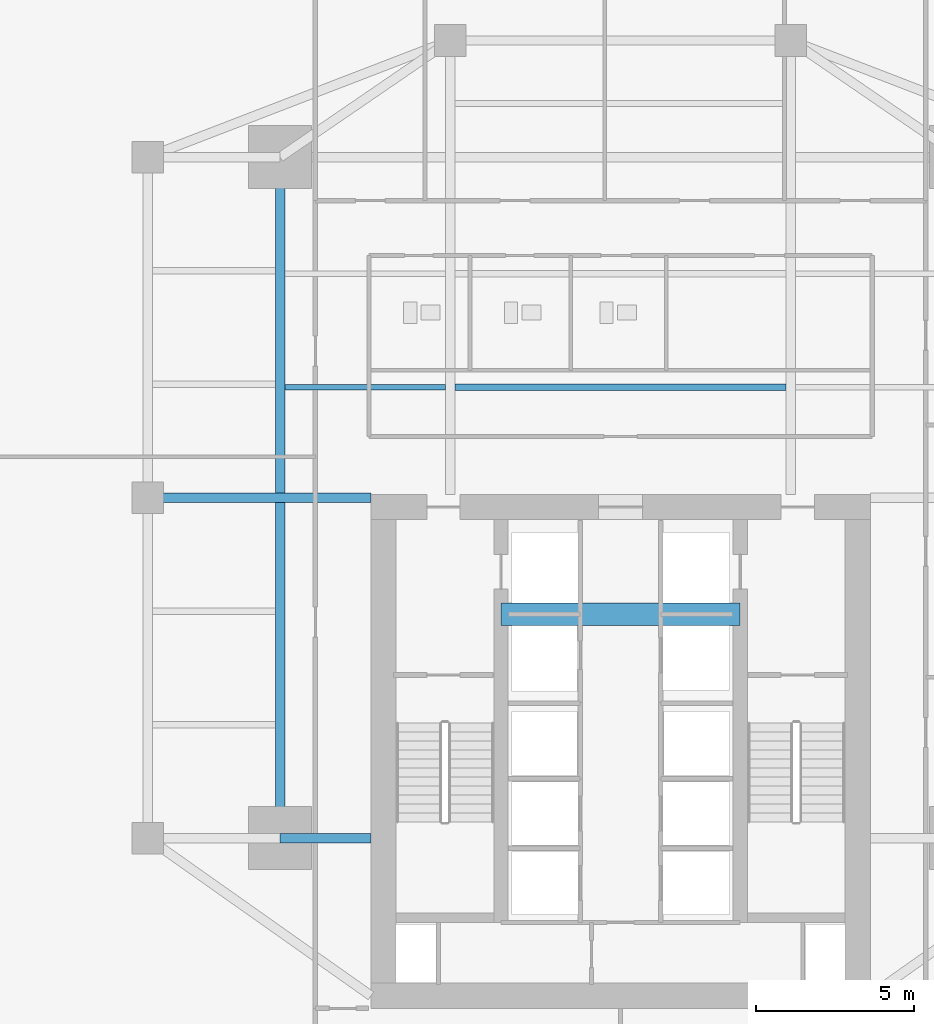
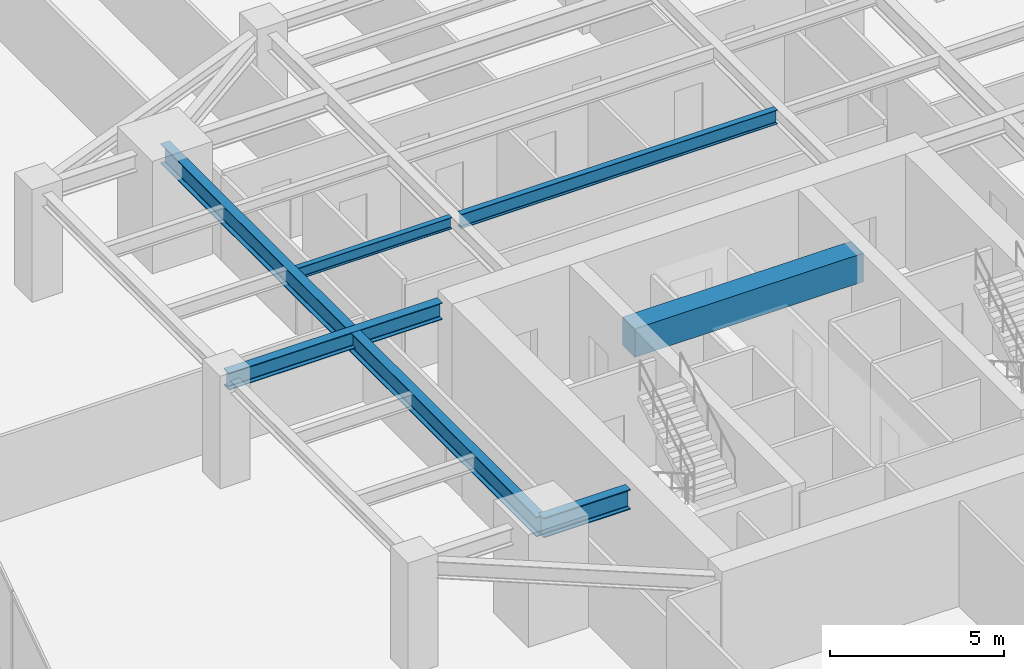
# One storey, part 9 of 27: 6 beams.
"""IFC4 building model written with IfcOpenShell, lengths in metres."""

from ifc_helpers import new_model, si_unit, direction, frame, origin, origin_2d, place, context, subcontext, project, spatial, rectangle, i_section, extrude, source, transform, mapped, material, material_profile, profile_set, type_object, type_shapes, element, save


model = new_model("IFC4")

# Units and contexts
model_context = context("Model", 3, precision=1e-05, world=origin(), true_north=direction((0.0, 1.0)))
body_context = subcontext(model_context, "Body", "Model", "MODEL_VIEW")
ifc_project = project(units=[si_unit("LENGTHUNIT", "METRE"), si_unit("AREAUNIT", "SQUARE_METRE"), si_unit("VOLUMEUNIT", "CUBIC_METRE"), si_unit("PLANEANGLEUNIT", "RADIAN"), si_unit("MASSUNIT", "GRAM", prefix="KILO")], contexts=[model_context])

# Site, building, storey
site_placement = place(None, origin())
site = spatial("IfcSite", under=ifc_project, at=site_placement, CompositionType="ELEMENT")
building_placement = place(site_placement, origin())
building = spatial("IfcBuilding", under=site, at=building_placement, Name="Krantzveldt Concourse Tower", CompositionType="ELEMENT")
storey_placement = place(building_placement, frame((0.0, 0.0, 101.89990234375)))
storey = spatial("IfcBuildingStorey", under=building, at=storey_placement, Name="L24", CompositionType="ELEMENT", Elevation=101.89990234375)

# Beams
ifc_material_1 = material(Name="Steel S355J2", Category="steel")
ifc_material_profile_1 = material_profile(ifc_material_1, i_section(OverallWidth=0.300048828125, OverallDepth=0.699951171875, WebThickness=0.01708984375, FlangeThickness=0.031982421875, FilletRadius=0.027099609375, at=origin_2d()), Name="Steel S355J2", Category="steel")
ifc_profile_set_1 = profile_set([ifc_material_profile_1], Name="Steel S355J2 - HEB 700")
beam_type_1 = type_object("IfcBeamType", Name="BM-B-HEB700", PredefinedType="BEAM", material=ifc_profile_set_1)
shared_shape_1 = source(origin(), body_context, "Body", "SweptSolid", [
    extrude(i_section(OverallWidth=0.300048828125, OverallDepth=0.699951171875, WebThickness=0.01708984375, FlangeThickness=0.031982421875, FilletRadius=0.027099609375, at=origin_2d()), origin(), (0.0, 0.0, 1.0), 2.880126953125),
])
beam_1_placement = place(storey_placement, frame((25.199951171875, 15.89990234375, 3.320068359375), z_axis=(1.0, 0.0, 0.0), x_axis=(0.0, 1.0, 0.0)))
element("IfcBeam", 1, at=beam_1_placement, inside=storey, type_object=beam_type_1, Name="L24 Tower Girder BG-CW1", PredefinedType="BEAM", context=body_context, shape_type="MappedRepresentation", body=[
    mapped(shared_shape_1, transform((0.0, 0.0, 0.0), x_axis=(1.0, 0.0, 0.0), y_axis=(0.0, 1.0, 0.0), z_axis=(0.0, 0.0, 1.0), scale=1.0)),
])
shared_shape_2 = source(origin(), body_context, "Body", "SweptSolid", [
    extrude(i_section(OverallWidth=0.300048828125, OverallDepth=0.699951171875, WebThickness=0.01708984375, FlangeThickness=0.031982421875, FilletRadius=0.027099609375, at=origin_2d()), origin(), (0.0, 0.0, 1.0), 21.60009765625),
])
type_shapes(beam_type_1, [shared_shape_1, shared_shape_2])
beam_2_placement = place(storey_placement, frame((25.199951171875, 15.89990234375, 3.320068359375), z_axis=(0.0, 1.0, 0.0), x_axis=(-1.0, 0.0, 0.0)))
element("IfcBeam", 2, at=beam_2_placement, inside=storey, type_object=beam_type_1, Name="L24 Tower Girder BG-MW", PredefinedType="BEAM", context=body_context, shape_type="MappedRepresentation", body=[
    mapped(shared_shape_2, transform((0.0, 0.0, 0.0), x_axis=(1.0, 0.0, 0.0), y_axis=(0.0, 1.0, 0.0), z_axis=(0.0, 0.0, 1.0), scale=1.0)),
])
ifc_material_2 = material(Name="Steel S355JR", Category="steel")
ifc_material_profile_2 = material_profile(ifc_material_2, i_section(OverallWidth=0.300048828125, OverallDepth=0.590087890625, WebThickness=0.012939453125, FlangeThickness=0.02490234375, FilletRadius=0.027099609375, at=origin_2d()), Name="Steel S355JR", Category="steel")
ifc_profile_set_2 = profile_set([ifc_material_profile_2], Name="Steel S355JR - HEA 600")
beam_type_2 = type_object("IfcBeamType", Name="BM-B-HEA600", PredefinedType="BEAM", material=ifc_profile_set_2)
shared_shape_3 = source(origin(), body_context, "Body", "SweptSolid", [
    extrude(i_section(OverallWidth=0.300048828125, OverallDepth=0.590087890625, WebThickness=0.012939453125, FlangeThickness=0.02490234375, FilletRadius=0.027099609375, at=origin_2d()), origin(), (0.0, 0.0, 1.0), 7.080078125),
])
type_shapes(beam_type_2, [shared_shape_3])
beam_3_placement = place(storey_placement, frame((21.0, 26.699951171875, 3.375), z_axis=(1.0, 0.0, 0.0), x_axis=(0.0, 1.0, 0.0)))
element("IfcBeam", 3, at=beam_3_placement, inside=storey, type_object=beam_type_2, Name="L24 Tower Girder BG-CW2", PredefinedType="BEAM", context=body_context, shape_type="MappedRepresentation", body=[
    mapped(shared_shape_3, transform((0.0, 0.0, 0.0), x_axis=(1.0, 0.0, 0.0), y_axis=(0.0, 1.0, 0.0), z_axis=(0.0, 0.0, 1.0), scale=1.0)),
])
ifc_material_profile_3 = material_profile(ifc_material_2, i_section(OverallWidth=0.199951171875, OverallDepth=0.5, WebThickness=0.01025390625, FlangeThickness=0.01611328125, FilletRadius=0.02099609375, at=origin_2d()), Name="Steel S355JR", Category="steel")
ifc_profile_set_3 = profile_set([ifc_material_profile_3], Name="Steel S355JR - IPE 500")
beam_type_3 = type_object("IfcBeamType", Name="BM-J-IPE500", PredefinedType="JOIST", material=ifc_profile_set_3)
shared_shape_4 = source(origin(), body_context, "Body", "SweptSolid", [
    extrude(i_section(OverallWidth=0.199951171875, OverallDepth=0.5, WebThickness=0.01025390625, FlangeThickness=0.01611328125, FilletRadius=0.02099609375, at=origin_2d()), origin(), (0.0, 0.0, 1.0), 10.5),
])
type_shapes(beam_type_3, [shared_shape_4])
beam_4_placement = place(storey_placement, frame((30.75, 30.199951171875, 3.420166015625), z_axis=(1.0, 0.0, 0.0), x_axis=(0.0, 1.0, 0.0)))
element("IfcBeam", 4, at=beam_4_placement, inside=storey, type_object=beam_type_3, Name="L24 Secondary Floor Joist JN-C1", PredefinedType="JOIST", context=body_context, shape_type="MappedRepresentation", body=[
    mapped(shared_shape_4, transform((0.0, 0.0, 0.0), x_axis=(1.0, 0.0, 0.0), y_axis=(0.0, 1.0, 0.0), z_axis=(0.0, 0.0, 1.0), scale=1.0)),
])
ifc_material_profile_4 = material_profile(ifc_material_2, i_section(OverallWidth=0.179931640625, OverallDepth=0.39990234375, WebThickness=0.008544921875, FlangeThickness=0.013427734375, FilletRadius=0.02099609375, at=origin_2d()), Name="Steel S355JR", Category="steel")
ifc_profile_set_4 = profile_set([ifc_material_profile_4], Name="Steel S355JR - IPE 400")
beam_type_4 = type_object("IfcBeamType", Name="BM-J-IPE400", PredefinedType="JOIST", material=ifc_profile_set_4)
shared_shape_5 = source(origin(), body_context, "Body", "SweptSolid", [
    extrude(i_section(OverallWidth=0.179931640625, OverallDepth=0.39990234375, WebThickness=0.008544921875, FlangeThickness=0.013427734375, FilletRadius=0.02099609375, at=origin_2d()), origin(), (0.0, 0.0, 1.0), 5.099853515625),
])
type_shapes(beam_type_4, [shared_shape_5])
beam_5_placement = place(storey_placement, frame((25.35009765625, 30.199951171875, 3.47021484375), z_axis=(1.0, 0.0, 0.0), x_axis=(0.0, 1.0, 0.0)))
element("IfcBeam", 5, at=beam_5_placement, inside=storey, type_object=beam_type_4, Name="L24 Secondary Floor Joist JN-W1", PredefinedType="JOIST", context=body_context, shape_type="MappedRepresentation", body=[
    mapped(shared_shape_5, transform((0.0, 0.0, 0.0), x_axis=(1.0, 0.0, 0.0), y_axis=(0.0, 1.0, 0.0), z_axis=(0.0, 0.0, 1.0), scale=1.0)),
])
ifc_material_3 = material(Name="Concrete C50/60", Category="concrete")
ifc_material_profile_5 = material_profile(ifc_material_3, rectangle(XDim=0.699951171875, YDim=1.0, at=origin_2d()), Name="Concrete C50/60", Category="concrete")
ifc_profile_set_5 = profile_set([ifc_material_profile_5], Name="Concrete C50/60 - RC-CB 700x1000")
beam_type_5 = type_object("IfcBeamType", Name="BM-CB-1000", PredefinedType="LINTEL", material=ifc_profile_set_5)
shared_shape_6 = source(origin(), body_context, "Body", "SweptSolid", [
    extrude(rectangle(XDim=0.699951171875, YDim=1.0, at=origin_2d()), origin(), (0.0, 0.0, 1.0), 7.580078125),
])
type_shapes(beam_type_5, [shared_shape_6])
beam_6_placement = place(storey_placement, frame((32.2099609375, 23.0, 3.170166015625), z_axis=(1.0, 0.0, 0.0), x_axis=(0.0, 1.0, 0.0)))
element("IfcBeam", 6, at=beam_6_placement, inside=storey, type_object=beam_type_5, Name="CB-L24-01", PredefinedType="LINTEL", context=body_context, shape_type="MappedRepresentation", body=[
    mapped(shared_shape_6, transform((0.0, 0.0, 0.0), x_axis=(1.0, 0.0, 0.0), y_axis=(0.0, 1.0, 0.0), z_axis=(0.0, 0.0, 1.0), scale=1.0)),
])

save(model, "model.ifc")
